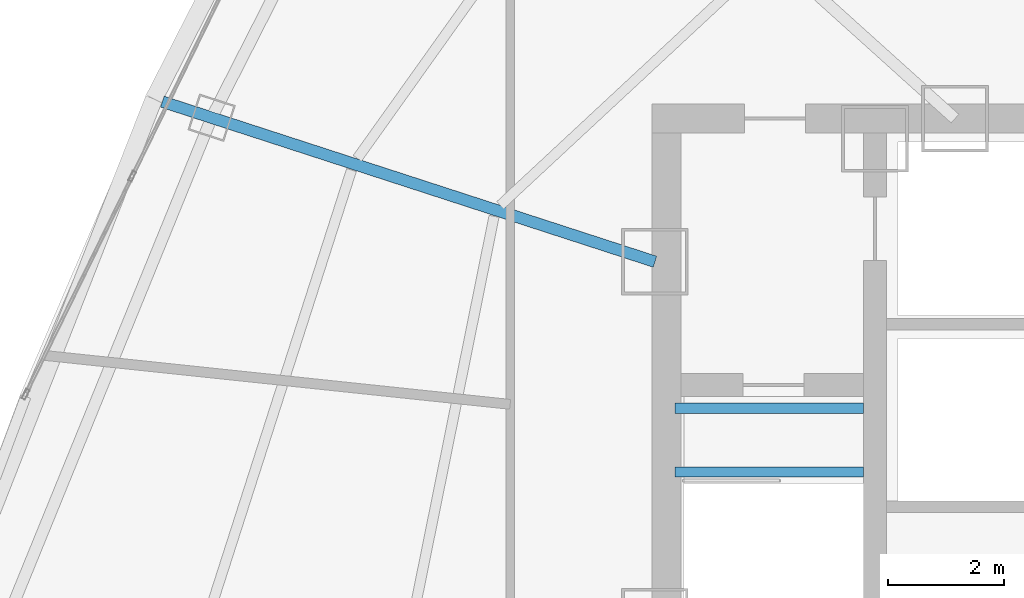
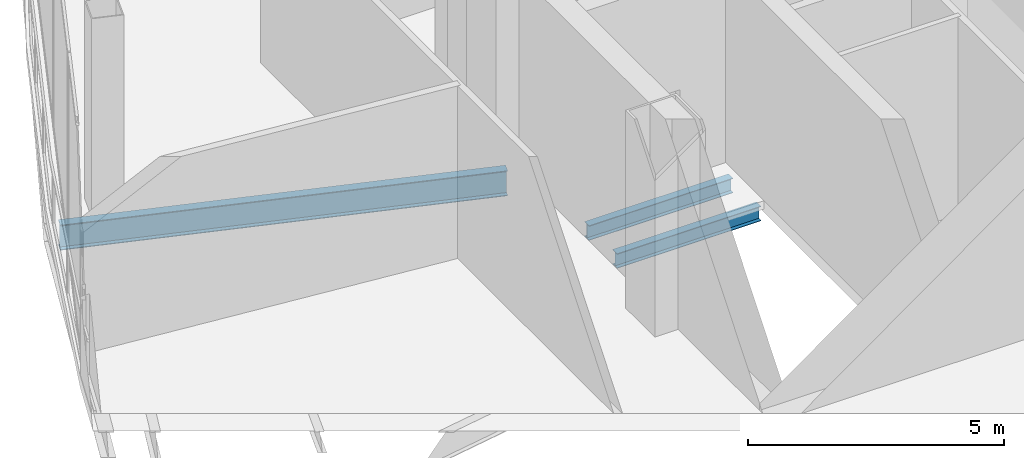
# One storey, part 7 of 32: 3 beams.
"""IFC4 building model written with IfcOpenShell, lengths in metres."""

import ifcopenshell
import ifcopenshell.guid

model = None  # the IFC model being written
_history = None  # IfcOwnerHistory: only IFC2X3 demands one
_inside = {}  # id of a spatial element -> (the spatial element, [elements in it])
_under = {}  # id of a project, library or spatial element -> (it, [spatial elements below it])
_declared = {}  # id of a project -> (the project, [libraries it declares])
_typed = {}  # id of a type object -> (the type object, [elements of that type])
_made_of = {}  # id of a material, layer set ... -> (it, [elements and type objects made of it])


def new_model(schema):
    """Start an empty IFC model of exactly this schema.

    Asked for "IFC4X3", IfcOpenShell would pick the latest addendum, in which some entities
    have other attributes; the version numbers below select the first issue.
    IFC2X3 requires an IfcOwnerHistory on every rooted entity: one is made here for all.
    """
    global model, _history
    if schema == "IFC4X3":
        model = ifcopenshell.file(schema_version=(4, 3, 0, 0))
    else:
        model = ifcopenshell.file(schema=schema)
    _inside.clear()
    _under.clear()
    _declared.clear()
    _typed.clear()
    _made_of.clear()
    _history = None
    if model.schema == "IFC2X3":
        org = make("IfcOrganization", Name="unknown")
        user = make(
            "IfcPersonAndOrganization",
            ThePerson=make("IfcPerson", FamilyName="unknown"),
            TheOrganization=org,
        )
        app = make(
            "IfcApplication",
            ApplicationDeveloper=org,
            Version="unknown",
            ApplicationFullName="unknown",
            ApplicationIdentifier="unknown",
        )
        _history = make(
            "IfcOwnerHistory",
            OwningUser=user,
            OwningApplication=app,
            ChangeAction="ADDED",
            CreationDate=0,
        )
    return model


def make(cls, **values):
    """One entity of the class cls with the attributes given. An attribute that is None is left unset."""
    return model.create_entity(
        cls, **{name: value for name, value in values.items() if value is not None}
    )


def rooted(cls, **values):
    """An entity with a GlobalId (a new one), such as an element, a storey or a relation."""
    return make(cls, GlobalId=ifcopenshell.guid.new(), OwnerHistory=_history, **values)


def si_unit(unit_type, name, prefix=None):
    """IfcSIUnit, for example si_unit("LENGTHUNIT", "METRE", prefix="MILLI")."""
    return make("IfcSIUnit", UnitType=unit_type, Prefix=prefix, Name=name)


def assignment(units):
    """IfcUnitAssignment: the units of a project."""
    return None if units is None else make("IfcUnitAssignment", Units=units)


def point(xyz):
    """IfcCartesianPoint."""
    return None if xyz is None else make("IfcCartesianPoint", Coordinates=xyz)


def direction(xyz):
    """IfcDirection."""
    return None if xyz is None else make("IfcDirection", DirectionRatios=xyz)


def frame(location, z_axis=None, x_axis=None):
    """IfcAxis2Placement3D, a coordinate frame: its origin and axes. An axis left out is left unset."""
    return make(
        "IfcAxis2Placement3D",
        Location=point(location),
        Axis=direction(z_axis),
        RefDirection=direction(x_axis),
    )


def frame_2d(location, x_axis=None):
    """IfcAxis2Placement2D, a coordinate frame in the plane: its origin and x axis."""
    return make(
        "IfcAxis2Placement2D", Location=point(location), RefDirection=direction(x_axis)
    )


def origin():
    """The frame at (0, 0, 0) with its axes left unset."""
    return frame((0.0, 0.0, 0.0))


def origin_2d():
    """The frame at (0, 0) in the plane with its x axis left unset."""
    return frame_2d((0.0, 0.0))


def place(relative_to, where):
    """IfcLocalPlacement: puts the frame where relative to a parent placement (None: the world)."""
    return make(
        "IfcLocalPlacement", PlacementRelTo=relative_to, RelativePlacement=where
    )


def context(
    kind, dimensions, precision=None, world=None, true_north=None, identifier=None
):
    """IfcGeometricRepresentationContext, for example the 3D "Model" context."""
    return make(
        "IfcGeometricRepresentationContext",
        ContextIdentifier=identifier,
        ContextType=kind,
        CoordinateSpaceDimension=dimensions,
        Precision=precision,
        WorldCoordinateSystem=world,
        TrueNorth=true_north,
    )


def subcontext(parent, identifier, kind, view, scale=None):
    """IfcGeometricRepresentationSubContext, for example "Body" below "Model"."""
    return make(
        "IfcGeometricRepresentationSubContext",
        ContextIdentifier=identifier,
        ContextType=kind,
        ParentContext=parent,
        TargetScale=scale,
        TargetView=view,
    )


def project(units=None, contexts=None):
    """IfcProject with its units and contexts."""
    return rooted(
        "IfcProject",
        Name="project",
        RepresentationContexts=contexts,
        UnitsInContext=assignment(units),
    )


def spatial(cls, under=None, at=None, **own):
    """A site, building, storey or space (cls), placed at a placement, below another one or the project."""
    s = rooted(cls, ObjectPlacement=at, **own)
    if under is not None:
        _under.setdefault(under.id(), (under, []))[1].append(s)
    return s


def profile(cls, at=None, kind="AREA", **sizes):
    """A parametric profile (cls). Its sizes go by their IFC names, for example OverallWidth=200.0."""
    return make(cls, ProfileType=kind, Position=at, **sizes)


def i_section(**sizes):
    """IfcIShapeProfileDef."""
    return profile("IfcIShapeProfileDef", **sizes)


def extrude(swept, where, along, depth):
    """IfcExtrudedAreaSolid: the profile swept, set in the frame where, extruded along a direction by depth."""
    return make(
        "IfcExtrudedAreaSolid",
        SweptArea=swept,
        Position=where,
        ExtrudedDirection=direction(along),
        Depth=depth,
    )


def shape(context_of_items, identifier, shape_type, items):
    """IfcShapeRepresentation: the items that make up one representation, for example the "Body"."""
    return make(
        "IfcShapeRepresentation",
        ContextOfItems=context_of_items,
        RepresentationIdentifier=identifier,
        RepresentationType=shape_type,
        Items=items,
    )


def source(mapping_origin, context_of_items, identifier, shape_type, items):
    """IfcRepresentationMap: a shape defined once, which mapped items show again and again."""
    return make(
        "IfcRepresentationMap",
        MappingOrigin=mapping_origin,
        MappedRepresentation=shape(context_of_items, identifier, shape_type, items),
    )


def transform(
    local_origin,
    x_axis=None,
    y_axis=None,
    z_axis=None,
    scale=None,
    scale2=None,
    scale3=None,
    uniform=True,
):
    """IfcCartesianTransformationOperator3D, or its non-uniform kind. x_axis, y_axis, z_axis: its Axis1, 2, 3."""
    if uniform:
        return make(
            "IfcCartesianTransformationOperator3D",
            Axis1=direction(x_axis),
            Axis2=direction(y_axis),
            LocalOrigin=point(local_origin),
            Scale=scale,
            Axis3=direction(z_axis),
        )
    return make(
        "IfcCartesianTransformationOperator3DnonUniform",
        Axis1=direction(x_axis),
        Axis2=direction(y_axis),
        LocalOrigin=point(local_origin),
        Scale=scale,
        Axis3=direction(z_axis),
        Scale2=scale2,
        Scale3=scale3,
    )


def mapped(mapping_source, mapping_target):
    """IfcMappedItem: shows the shape of a source again, moved by a transform."""
    return make(
        "IfcMappedItem", MappingSource=mapping_source, MappingTarget=mapping_target
    )


def material(Name=None, Category=None):
    """IfcMaterial."""
    return make("IfcMaterial", Name=Name, Category=Category)


def material_profile(
    of_material, cross_section, Name=None, Category=None, Priority=None
):
    """IfcMaterialProfile: a cross section and its material."""
    return make(
        "IfcMaterialProfile",
        Name=Name,
        Material=of_material,
        Profile=cross_section,
        Priority=Priority,
        Category=Category,
    )


def profile_set(profiles, Name=None, composite=None):
    """IfcMaterialProfileSet."""
    return make(
        "IfcMaterialProfileSet",
        Name=Name,
        MaterialProfiles=profiles,
        CompositeProfile=composite,
    )


def made_of(thing, what):
    """Note that an element or type object is made of a material, layer set ...; save() writes the relation."""
    if what is not None:
        _made_of.setdefault(what.id(), (what, []))[1].append(thing)
    return thing


def type_object(cls, material=None, **own):
    """A type object (cls), such as IfcWallType, which elements share."""
    return made_of(rooted(cls, **own), material)


def element(
    cls,
    number,
    at=None,
    inside=None,
    cuts=None,
    type_object=None,
    material=None,
    context=None,
    identifier="Body",
    shape_type=None,
    held_by="IfcProductDefinitionShape",
    body=None,
    shapes=None,
    **own,
):
    """One element of the class cls, such as IfcWall. Its Tag is "e" and its number.

    at: its placement. inside: the storey or other place that contains it. cuts: it is an
    opening in that element (IfcRelVoidsElement). A single representation is given by context,
    identifier, shape_type and body (its items); several are given by shapes. held_by: the class
    of the entity that holds the representations. save() writes the other relations.
    """
    e = rooted(cls, Tag="e%d" % number, ObjectPlacement=at, **own)
    if body is not None:
        shapes = [shape(context, identifier, shape_type, body)]
    if shapes is not None:
        e.Representation = make(held_by, Representations=shapes)
    if inside is not None:
        _inside.setdefault(inside.id(), (inside, []))[1].append(e)
    if cuts is not None:
        rooted(
            "IfcRelVoidsElement", RelatingBuildingElement=cuts, RelatedOpeningElement=e
        )
    if type_object is not None:
        _typed.setdefault(type_object.id(), (type_object, []))[1].append(e)
    return made_of(e, material)


def aggregate(whole, parts):
    """IfcRelAggregates: a whole, such as a stair, and the parts it consists of."""
    return rooted("IfcRelAggregates", RelatingObject=whole, RelatedObjects=parts)


def save(model, path):
    """Write the relations noted so far, then the file.

    IfcRelAggregates (storeys below a building ...), IfcRelContainedInSpatialStructure (elements
    in a storey), IfcRelDefinesByType, IfcRelAssociatesMaterial and IfcRelDeclares: one each for
    every whole, place, type object, material and project.
    """
    for whole, parts in _under.values():
        aggregate(whole, parts)
    for where, things in _inside.values():
        rooted(
            "IfcRelContainedInSpatialStructure",
            RelatedElements=things,
            RelatingStructure=where,
        )
    for kind, things in _typed.values():
        rooted("IfcRelDefinesByType", RelatedObjects=things, RelatingType=kind)
    for what, things in _made_of.values():
        rooted("IfcRelAssociatesMaterial", RelatedObjects=things, RelatingMaterial=what)
    for by, libraries in _declared.values():
        rooted("IfcRelDeclares", RelatingContext=by, RelatedDefinitions=libraries)
    model.write(path)


model = new_model("IFC4")

# Units and contexts
model_context = context("Model", 3, precision=1e-05, world=origin(), true_north=direction((0.0, 1.0)))
body_context = subcontext(model_context, "Body", "Model", "MODEL_VIEW")
ifc_project = project(units=[si_unit("LENGTHUNIT", "METRE"), si_unit("AREAUNIT", "SQUARE_METRE"), si_unit("VOLUMEUNIT", "CUBIC_METRE"), si_unit("PLANEANGLEUNIT", "RADIAN"), si_unit("MASSUNIT", "GRAM", prefix="KILO"), si_unit("THERMODYNAMICTEMPERATUREUNIT", "KELVIN"), si_unit("POWERUNIT", "WATT")], contexts=[model_context])

# Site, building, storey
site_placement = place(None, origin())
site = spatial("IfcSite", under=ifc_project, at=site_placement, CompositionType="ELEMENT")
building_placement = place(site_placement, origin())
building = spatial("IfcBuilding", under=site, at=building_placement, Name="Yunzhuo Pagoda Commons", CompositionType="ELEMENT")
storey_placement = place(building_placement, frame((0.0, 0.0, 396.760009765625)))
storey = spatial("IfcBuildingStorey", under=building, at=storey_placement, Name="L98", CompositionType="ELEMENT", Elevation=396.760009765625)

# Beams
ifc_material = material(Name="Structural steel Q355B", Category="steel")
ifc_material_profile_1 = material_profile(ifc_material, i_section(OverallWidth=0.175048828125, OverallDepth=0.35009765625, WebThickness=0.007080078125, FlangeThickness=0.010986328125, at=origin_2d()), Name="Structural steel Q355B")
ifc_profile_set_1 = profile_set([ifc_material_profile_1], Name="Structural steel Q355B")
beam_type_1 = type_object("IfcBeamType", Name="B-JS2 Joist HN 350x175x7x11", PredefinedType="JOIST", material=ifc_profile_set_1)
shared_shape_1 = source(origin(), body_context, "Body", "SweptSolid", [
    extrude(i_section(OverallWidth=0.175048828125, OverallDepth=0.35009765625, WebThickness=0.007080078125, FlangeThickness=0.010986328125, at=origin_2d()), origin(), (0.0, 0.0, 1.0), 3.25),
])
for number, where, z_axis, x_axis, name in (
    (1, (35.949951171875, 34.10009765625, -0.375), (1.0, 0.0, 0.0), (0.0, 1.0, 0.0), "L98 ST1 landing support beam 202A"),
    (2, (35.949951171875, 35.199951171875, -0.375), (1.0, 0.0, 0.0), (0.0, 1.0, 0.0), "L98 ST1 landing support beam 202B"),
):
    element("IfcBeam", number, at=place(storey_placement, frame(where, z_axis=z_axis, x_axis=x_axis)), inside=storey, type_object=beam_type_1, Name=name, PredefinedType="JOIST", context=body_context, shape_type="MappedRepresentation", body=[
        mapped(shared_shape_1, transform((0.0, 0.0, 0.0), scale=1.0)),
    ])
ifc_material_profile_2 = material_profile(ifc_material, i_section(OverallWidth=0.199951171875, OverallDepth=0.60009765625, WebThickness=0.010986328125, FlangeThickness=0.01708984375, at=origin_2d()), Name="Structural steel Q355B")
ifc_profile_set_2 = profile_set([ifc_material_profile_2], Name="Structural steel Q355B")
beam_type_2 = type_object("IfcBeamType", Name="B-RG3 Beam HN 600x200x11x17", PredefinedType="BEAM", material=ifc_profile_set_2)
shared_shape_2 = source(origin(), body_context, "Body", "SweptSolid", [
    extrude(i_section(OverallWidth=0.199951171875, OverallDepth=0.60009765625, WebThickness=0.010986328125, FlangeThickness=0.01708984375, at=origin_2d()), origin(), (0.0, 0.0, 1.0), 8.942626953125),
])
beam_placement = place(storey_placement, frame((27.09521484375, 40.492431640625, -0.580078125), z_axis=(0.951055734301, -0.309019401095, 0.0), x_axis=(0.309019401095, 0.951055734301, 0.0)))
element("IfcBeam", 3, at=beam_placement, inside=storey, type_object=beam_type_2, Name="L98 radial floor girder F3C3", PredefinedType="BEAM", context=body_context, shape_type="MappedRepresentation", body=[
    mapped(shared_shape_2, transform((0.0, 0.0, 0.0), scale=1.0)),
])

save(model, "model.ifc")
